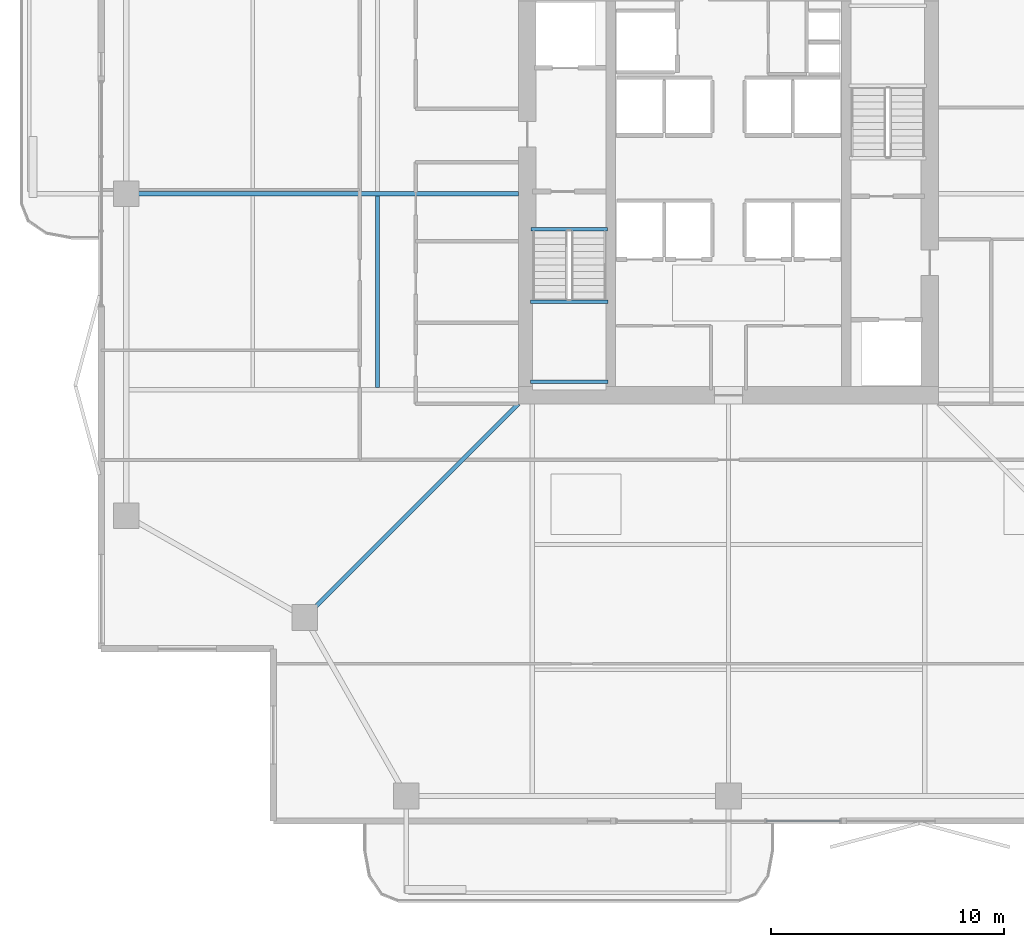
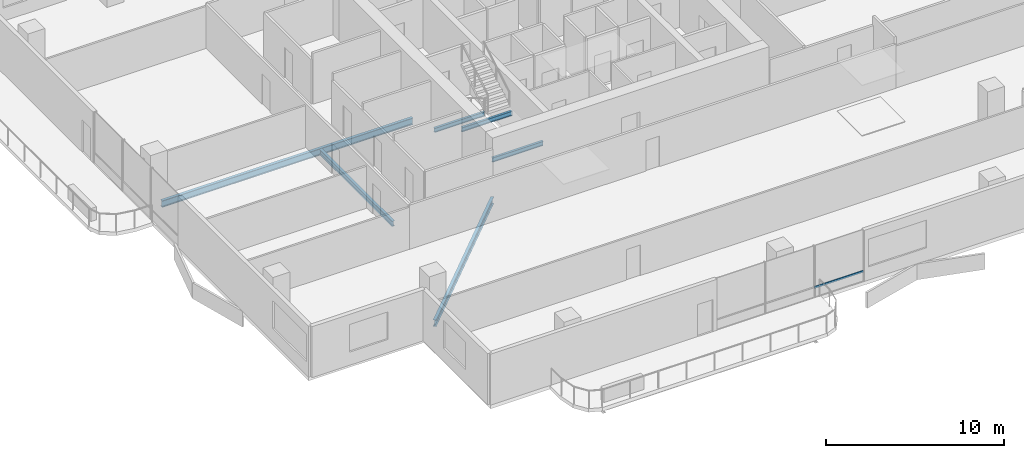
# One storey, part 5 of 24: 6 beams, 1 member, 1 element without a shape of its own.
"""IFC4 building model written with IfcOpenShell, lengths in metres."""

from ifc_helpers import new_model, si_unit, direction, frame, origin, origin_2d, place, context, subcontext, project, spatial, hollow_rectangle, i_section, extrude, material, layer, layer_set, material_profile, profile_set, type_object, element, aggregate, save


model = new_model("IFC4")

# Units and contexts
model_context = context("Model", 3, precision=1e-05, world=origin(), true_north=direction((0.0, 1.0)))
body_context = subcontext(model_context, "Body", "Model", "MODEL_VIEW")
ifc_project = project(units=[si_unit("LENGTHUNIT", "METRE"), si_unit("AREAUNIT", "SQUARE_METRE"), si_unit("VOLUMEUNIT", "CUBIC_METRE"), si_unit("PLANEANGLEUNIT", "RADIAN"), si_unit("MASSUNIT", "GRAM", prefix="KILO")], contexts=[model_context])

# Site, building, storey
site_placement = place(None, origin())
site = spatial("IfcSite", under=ifc_project, at=site_placement, CompositionType="ELEMENT")
building_placement = place(site_placement, origin())
building = spatial("IfcBuilding", under=site, at=building_placement, Name="Belovzor Exchange Tower", CompositionType="ELEMENT")
storey_placement = place(building_placement, frame((0.0, 0.0, 207.449951171875)))
storey = spatial("IfcBuildingStorey", under=building, at=storey_placement, Name="L51", CompositionType="ELEMENT", Elevation=207.449951171875)

# Beams
ifc_material_1 = material(Name="Steel S355", Category="steel")
ifc_material_profile_1 = material_profile(ifc_material_1, i_section(OverallWidth=0.169921875, OverallDepth=0.360107421875, WebThickness=0.008056640625, FlangeThickness=0.0126953125, at=origin_2d()))
ifc_profile_set_1 = profile_set([ifc_material_profile_1], Name="Steel S355")
beam_type_1 = type_object("IfcBeamType", Name="Secondary Infill Floor Joist IPE 360", PredefinedType="BEAM", material=ifc_profile_set_1)
beam_1_placement = place(storey_placement, frame((13.77197265625, 20.4951171875, -0.429931640625), z_axis=(0.0, 1.0, 0.0), x_axis=(-1.0, 0.0, 0.0)))
element("IfcBeam", 1, at=beam_1_placement, inside=storey, type_object=beam_type_1, Name="FJ-360 Secondary Infill Floor Joist IPE 360", PredefinedType="BEAM", context=body_context, shape_type="SweptSolid", body=[
    extrude(i_section(OverallWidth=0.169921875, OverallDepth=0.360107421875, WebThickness=0.008056640625, FlangeThickness=0.0126953125, at=origin_2d()), origin(), (0.0, 0.0, 1.0), 8.2099609375),
])
ifc_material_2 = material(Name="Steel S355", Category="steel")
ifc_material_profile_2 = material_profile(ifc_material_2, i_section(OverallWidth=0.14990234375, OverallDepth=0.300048828125, WebThickness=0.007080078125, FlangeThickness=0.0107421875, at=origin_2d()))
ifc_profile_set_2 = profile_set([ifc_material_profile_2], Name="Steel S355")
beam_type_2 = type_object("IfcBeamType", Name="Secondary Trim Floor Joist IPE 300", PredefinedType="BEAM", material=ifc_profile_set_2)
for number, where, z_axis, x_axis, name in (
    (2, (20.320068359375, 24.179931640625, 1.525146484375), (1.0, 0.0, 0.0), (0.0, 1.0, 0.0), "FJ-300 Secondary Trim Floor Joist IPE 300"),
    (3, (20.320068359375, 20.75, 1.525146484375), (1.0, 0.0, 0.0), (0.0, 1.0, 0.0), "FJ-300 Secondary Trim Floor Joist IPE 300"),
):
    element("IfcBeam", number, at=place(storey_placement, frame(where, z_axis=z_axis, x_axis=x_axis)), inside=storey, type_object=beam_type_2, Name=name, PredefinedType="BEAM", context=body_context, shape_type="SweptSolid", body=[
        extrude(i_section(OverallWidth=0.14990234375, OverallDepth=0.300048828125, WebThickness=0.007080078125, FlangeThickness=0.0107421875, at=origin_2d()), origin(), (0.0, 0.0, 1.0), 3.309814453125),
    ])
beam_2_placement = place(storey_placement, frame((20.340087890625, 27.280029296875, -0.39990234375), z_axis=(1.0, 0.0, 0.0), x_axis=(0.0, 1.0, 0.0)))
element("IfcBeam", 4, at=beam_2_placement, inside=storey, type_object=beam_type_2, Name="FJ-300 Secondary Trim Floor Joist IPE 300", PredefinedType="BEAM", context=body_context, shape_type="SweptSolid", body=[
    extrude(i_section(OverallWidth=0.14990234375, OverallDepth=0.300048828125, WebThickness=0.007080078125, FlangeThickness=0.0107421875, at=origin_2d()), origin(), (0.0, 0.0, 1.0), 3.27001953125),
])

# Curtain wall, member
ifc_material_3 = material(Name="Anodised Aluminium Framing", Category="aluminium")
ifc_layer = layer(ifc_material_3, 0.179931640625)
ifc_layer_set = layer_set([ifc_layer], Name="Anodised Aluminium Framing")
curtain_wall_type = type_object("IfcCurtainWallType", Name="Recessed Loggia Low-Iron Triple-Glazed Curtain Wall", PredefinedType="NOTDEFINED", material=ifc_layer_set)
curtain_wall_placement = place(storey_placement, origin())
curtain_wall = element("IfcCurtainWall", 5, at=curtain_wall_placement, inside=storey, type_object=curtain_wall_type, Name="CW3 Recessed Loggia Low-Iron Triple-Glazed Curtain Wall L51", PredefinedType="NOTDEFINED")
ifc_material_4 = material(Name="Steel S355", Category="steel")
ifc_material_profile_3 = material_profile(ifc_material_4, hollow_rectangle(XDim=0.06005859375, YDim=0.14990234375, WallThickness=0.00390625, at=origin_2d()))
ifc_profile_set_3 = profile_set([ifc_material_profile_3], Name="Steel S355")
member_type = type_object("IfcMemberType", Name="Thermally Broken Curtain Wall Transom 150x60", PredefinedType="USERDEFINED", material=ifc_profile_set_3)
member_placement = place(storey_placement, frame((33.592041015625, 1.929931640625, 0.630126953125), z_axis=(-1.0, 0.0, 0.0), x_axis=(0.0, -1.0, 0.0)))
member = element("IfcMember", 6, at=member_placement, type_object=member_type, Name="CW-T150 Curtain Wall Transom 1", ObjectType="TRANSOM", PredefinedType="USERDEFINED", context=body_context, shape_type="SweptSolid", body=[
    extrude(hollow_rectangle(XDim=0.06005859375, YDim=0.14990234375, WallThickness=0.00390625, at=origin_2d()), origin(), (0.0, 0.0, 1.0), 3.18408203125),
])
aggregate(curtain_wall, [member])

# Beams
ifc_material_5 = material(Name="Steel S355", Category="steel")
ifc_material_profile_4 = material_profile(ifc_material_5, i_section(OverallWidth=0.18994140625, OverallDepth=0.449951171875, WebThickness=0.009521484375, FlangeThickness=0.0146484375, at=origin_2d()))
ifc_profile_set_4 = profile_set([ifc_material_profile_4], Name="Steel S355")
beam_type_3 = type_object("IfcBeamType", Name="Zone 2-4 Radial Composite Floor Beam IPE 450", PredefinedType="BEAM", material=ifc_profile_set_4)
beam_3_placement = place(storey_placement, frame((19.800048828125, 28.800048828125, -0.474853515625), z_axis=(-1.0, 0.0, 0.0), x_axis=(0.0, -1.0, 0.0)))
element("IfcBeam", 7, at=beam_3_placement, inside=storey, type_object=beam_type_3, Name="FB-450 Zone 2-4 Radial Composite Floor Beam IPE 450", PredefinedType="BEAM", context=body_context, shape_type="SweptSolid", body=[
    extrude(i_section(OverallWidth=0.18994140625, OverallDepth=0.449951171875, WebThickness=0.009521484375, FlangeThickness=0.0146484375, at=origin_2d()), origin(), (0.0, 0.0, 1.0), 16.316162109375),
])
beam_4_placement = place(storey_placement, frame((19.800048828125, 19.800048828125, -0.474853515625), z_axis=(-0.707106781187, -0.707106781187, 0.0), x_axis=(0.707106781187, -0.707106781187, 0.0)))
element("IfcBeam", 8, at=beam_4_placement, inside=storey, type_object=beam_type_3, Name="FB-450 Zone 2-4 Radial Composite Floor Beam IPE 450", PredefinedType="BEAM", context=body_context, shape_type="SweptSolid", body=[
    extrude(i_section(OverallWidth=0.18994140625, OverallDepth=0.449951171875, WebThickness=0.009521484375, FlangeThickness=0.0146484375, at=origin_2d()), origin(), (0.0, 0.0, 1.0), 12.551025390625),
])

save(model, "model.ifc")
